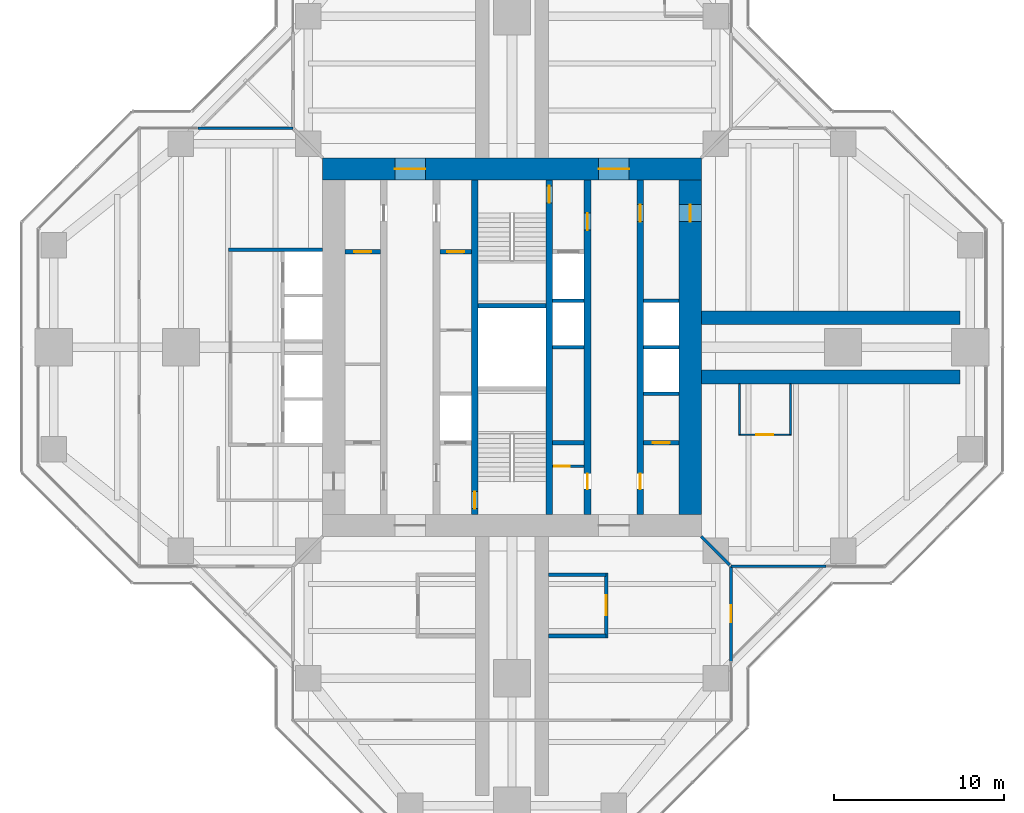
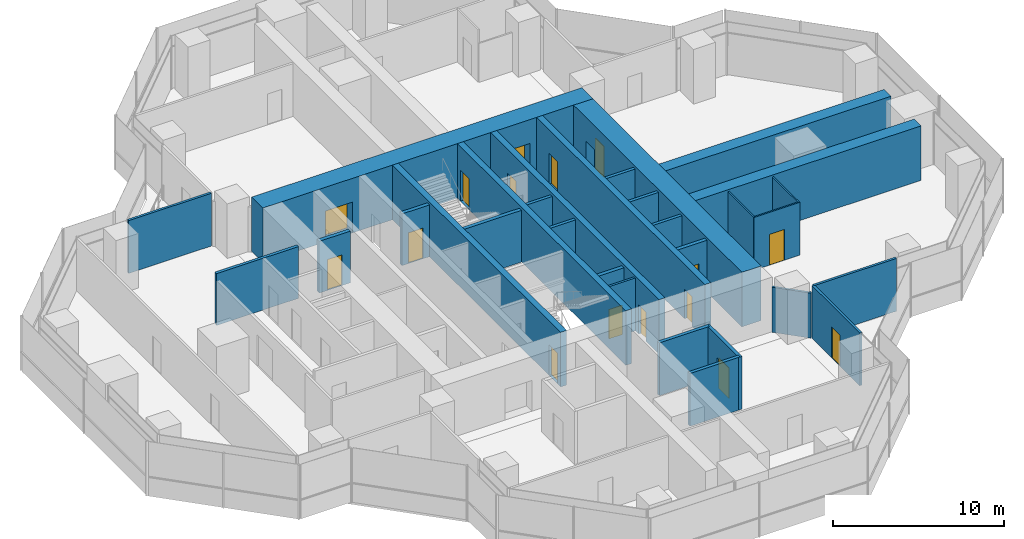
# One storey, part 14 of 17: 30 walls, 16 doors, 16 openings.
"""IFC4 building model written with IfcOpenShell, lengths in metres."""

from ifc_helpers import new_model, si_unit, direction, frame, frame_2d, origin, place, context, subcontext, project, spatial, rectangle, extrude, material, layer, layer_set, type_object, element, fill, save


model = new_model("IFC4")

# Units and contexts
model_context = context("Model", 3, precision=1e-05, world=origin(), true_north=direction((0.0, 1.0)))
body_context = subcontext(model_context, "Body", "Model", "MODEL_VIEW")
ifc_project = project(units=[si_unit("LENGTHUNIT", "METRE"), si_unit("AREAUNIT", "SQUARE_METRE"), si_unit("VOLUMEUNIT", "CUBIC_METRE"), si_unit("PLANEANGLEUNIT", "RADIAN"), si_unit("MASSUNIT", "GRAM", prefix="KILO")], contexts=[model_context])

# Site, building, storey
site_placement = place(None, origin())
site = spatial("IfcSite", under=ifc_project, at=site_placement, CompositionType="ELEMENT")
building_placement = place(site_placement, origin())
building = spatial("IfcBuilding", under=site, at=building_placement, Name="Mizan Broadcast Tower", CompositionType="ELEMENT")
storey_placement = place(building_placement, frame((0.0, 0.0, 224.39990234375)))
storey = spatial("IfcBuildingStorey", under=building, at=storey_placement, Name="L52", CompositionType="ELEMENT", Elevation=224.39990234375)

# Wall, openings, doors
ifc_material_1 = material(Name="Concrete C70/85", Category="concrete")
ifc_layer_1 = layer(ifc_material_1, 0.39990234375)
ifc_layer_set_1 = layer_set([ifc_layer_1], Name="Concrete C70/85")
wall_type_1 = type_object("IfcWallType", Name="CORE INTERNAL WALL 400", PredefinedType="SHEAR", material=ifc_layer_set_1)
wall_1_placement = place(storey_placement, frame((7.550048828125, 9.85009765625, 0.0), z_axis=(0.0, 0.0, 1.0), x_axis=(0.0, -1.0, 0.0)))
wall_1 = element("IfcWall", 1, at=wall_1_placement, inside=storey, type_object=wall_type_1, Name="Core wall CORE/XW1E", PredefinedType="SHEAR", context=body_context, shape_type="SweptSolid", body=[
    extrude(rectangle(XDim=19.7001953125, YDim=0.39990234375, at=frame_2d((9.85009765625, 0.0))), origin(), (0.0, 0.0, 1.0), 3.900146484375),
])
opening_1_placement = place(wall_1_placement, frame((1.449951171875, 0.0, 0.0)))
opening_1 = element("IfcOpeningElement", 2, at=opening_1_placement, cuts=wall_1, Name="Opening D10F", PredefinedType="OPENING", context=body_context, shape_type="SweptSolid", body=[
    extrude(rectangle(XDim=1.0, YDim=2.199951171875, at=frame_2d((0.5, 1.10009765625))), frame((0.0, 0.2099609375, 0.0), z_axis=(0.0, -1.0, 0.0), x_axis=(1.0, 0.0, 0.0)), (0.0, 0.0, 1.0), 0.419921875),
])
opening_2_placement = place(wall_1_placement, frame((17.300048828125, 0.0, 0.0)))
opening_2 = element("IfcOpeningElement", 3, at=opening_2_placement, cuts=wall_1, Name="Opening D09", PredefinedType="OPENING", context=body_context, shape_type="SweptSolid", body=[
    extrude(rectangle(XDim=0.89990234375, YDim=2.10009765625, at=frame_2d((0.449951171875, 1.050048828125))), frame((0.0, 0.2099609375, 0.0), z_axis=(0.0, -1.0, 0.0), x_axis=(1.0, 0.0, 0.0)), (0.0, 0.0, 1.0), 0.419921875),
])
ifc_material_2 = material(Name="Steel door leaf in steel frame", Category="steel")
door_type_1 = type_object("IfcDoorType", Name="FIRE DOOR 1000 FD90", OperationType="SINGLE_SWING_LEFT", PredefinedType="DOOR", material=ifc_material_2)
door_1_placement = place(opening_1_placement, origin())
door_1 = element("IfcDoor", 4, at=door_1_placement, inside=storey, type_object=door_type_1, Name="East core passage door", OperationType="SINGLE_SWING_LEFT", OverallHeight=2.199951171875, OverallWidth=1.0, PredefinedType="DOOR", context=body_context, shape_type="SweptSolid", body=[
    extrude(rectangle(XDim=1.0, YDim=2.199951171875, at=frame_2d((0.5, 1.10009765625))), frame((0.0, 0.02490234375, 0.0), z_axis=(0.0, -1.0, 0.0), x_axis=(1.0, 0.0, 0.0)), (0.0, 0.0, 1.0), 0.050048828125),
])
fill(opening_1, door_1)
ifc_material_3 = material(Name="Timber door leaf in aluminium frame", Category="wood")
door_type_2 = type_object("IfcDoorType", Name="TOILET DOOR 900", OperationType="SINGLE_SWING_LEFT", PredefinedType="DOOR", material=ifc_material_3)
door_2_placement = place(opening_2_placement, origin())
door_2 = element("IfcDoor", 5, at=door_2_placement, inside=storey, type_object=door_type_2, Name="Female WC door", OperationType="SINGLE_SWING_RIGHT", OverallHeight=2.10009765625, OverallWidth=0.89990234375, PredefinedType="DOOR", context=body_context, shape_type="SweptSolid", body=[
    extrude(rectangle(XDim=0.89990234375, YDim=2.10009765625, at=frame_2d((0.449951171875, 1.050048828125))), frame((0.0, 0.02490234375, 0.0), z_axis=(0.0, -1.0, 0.0), x_axis=(1.0, 0.0, 0.0)), (0.0, 0.0, 1.0), 0.050048828125),
])
fill(opening_2, door_2)

wall_2_placement = place(storey_placement, frame((4.449951171875, 9.85009765625, 0.0), z_axis=(0.0, 0.0, 1.0), x_axis=(0.0, -1.0, 0.0)))
wall_2 = element("IfcWall", 6, at=wall_2_placement, inside=storey, type_object=wall_type_1, Name="Core wall CORE/XWHE", PredefinedType="SHEAR", context=body_context, shape_type="SweptSolid", body=[
    extrude(rectangle(XDim=19.7001953125, YDim=0.39990234375, at=frame_2d((9.85009765625, 0.0))), origin(), (0.0, 0.0, 1.0), 3.900146484375),
])
opening_3_placement = place(wall_2_placement, frame((1.949951171875, 0.0, 0.0)))
opening_3 = element("IfcOpeningElement", 7, at=opening_3_placement, cuts=wall_2, Name="Opening D10F", PredefinedType="OPENING", context=body_context, shape_type="SweptSolid", body=[
    extrude(rectangle(XDim=1.0, YDim=2.199951171875, at=frame_2d((0.5, 1.10009765625))), frame((0.0, 0.2099609375, 0.0), z_axis=(0.0, -1.0, 0.0), x_axis=(1.0, 0.0, 0.0)), (0.0, 0.0, 1.0), 0.419921875),
])
opening_4_placement = place(wall_2_placement, frame((17.300048828125, 0.0, 0.0)))
opening_4 = element("IfcOpeningElement", 8, at=opening_4_placement, cuts=wall_2, Name="Opening D09", PredefinedType="OPENING", context=body_context, shape_type="SweptSolid", body=[
    extrude(rectangle(XDim=0.89990234375, YDim=2.10009765625, at=frame_2d((0.449951171875, 1.050048828125))), frame((0.0, 0.2099609375, 0.0), z_axis=(0.0, -1.0, 0.0), x_axis=(1.0, 0.0, 0.0)), (0.0, 0.0, 1.0), 0.419921875),
])
door_3_placement = place(opening_3_placement, origin())
door_3 = element("IfcDoor", 9, at=door_3_placement, inside=storey, type_object=door_type_1, Name="Firefighting lobby B door", OperationType="SINGLE_SWING_LEFT", OverallHeight=2.199951171875, OverallWidth=1.0, PredefinedType="DOOR", context=body_context, shape_type="SweptSolid", body=[
    extrude(rectangle(XDim=1.0, YDim=2.199951171875, at=frame_2d((0.5, 1.10009765625))), frame((0.0, 0.02490234375, 0.0), z_axis=(0.0, -1.0, 0.0), x_axis=(1.0, 0.0, 0.0)), (0.0, 0.0, 1.0), 0.050048828125),
])
fill(opening_3, door_3)
door_4_placement = place(opening_4_placement, origin())
door_4 = element("IfcDoor", 10, at=door_4_placement, inside=storey, type_object=door_type_2, Name="Cleaner's store door", OperationType="SINGLE_SWING_RIGHT", OverallHeight=2.10009765625, OverallWidth=0.89990234375, PredefinedType="DOOR", context=body_context, shape_type="SweptSolid", body=[
    extrude(rectangle(XDim=0.89990234375, YDim=2.10009765625, at=frame_2d((0.449951171875, 1.050048828125))), frame((0.0, 0.02490234375, 0.0), z_axis=(0.0, -1.0, 0.0), x_axis=(1.0, 0.0, 0.0)), (0.0, 0.0, 1.0), 0.050048828125),
])
fill(opening_4, door_4)

# Wall, opening, door
wall_3_placement = place(storey_placement, frame((-2.199951171875, -9.85009765625, 0.0), z_axis=(0.0, 0.0, 1.0), x_axis=(0.0, 1.0, 0.0)))
wall_3 = element("IfcWall", 11, at=wall_3_placement, inside=storey, type_object=wall_type_1, Name="Core wall CORE/XW2", PredefinedType="SHEAR", context=body_context, shape_type="SweptSolid", body=[
    extrude(rectangle(XDim=19.7001953125, YDim=0.39990234375, at=frame_2d((9.85009765625, 0.0))), origin(), (0.0, 0.0, 1.0), 3.900146484375),
])
opening_5_placement = place(wall_3_placement, frame((0.35009765625, 0.0, 0.0)))
opening_5 = element("IfcOpeningElement", 12, at=opening_5_placement, cuts=wall_3, Name="Opening D10S", PredefinedType="OPENING", context=body_context, shape_type="SweptSolid", body=[
    extrude(rectangle(XDim=1.0, YDim=2.199951171875, at=frame_2d((0.5, 1.10009765625))), frame((0.0, 0.2099609375, 0.0), z_axis=(0.0, -1.0, 0.0), x_axis=(1.0, 0.0, 0.0)), (0.0, 0.0, 1.0), 0.419921875),
])
ifc_material_4 = material(Name="Steel door leaf in steel frame", Category="steel")
door_type_3 = type_object("IfcDoorType", Name="STAIR DOOR 1000 FD90S", OperationType="SINGLE_SWING_RIGHT", PredefinedType="DOOR", material=ifc_material_4)
door_5_placement = place(opening_5_placement, origin())
door_5 = element("IfcDoor", 13, at=door_5_placement, inside=storey, type_object=door_type_3, Name="Stair A door", OperationType="SINGLE_SWING_RIGHT", OverallHeight=2.199951171875, OverallWidth=1.0, PredefinedType="DOOR", context=body_context, shape_type="SweptSolid", body=[
    extrude(rectangle(XDim=1.0, YDim=2.199951171875, at=frame_2d((0.5, 1.10009765625))), frame((0.0, 0.02490234375, 0.0), z_axis=(0.0, -1.0, 0.0), x_axis=(1.0, 0.0, 0.0)), (0.0, 0.0, 1.0), 0.050048828125),
])
fill(opening_5, door_5)

wall_4_placement = place(storey_placement, frame((2.199951171875, 9.85009765625, 0.0), z_axis=(0.0, 0.0, 1.0), x_axis=(0.0, -1.0, 0.0)))
wall_4 = element("IfcWall", 14, at=wall_4_placement, inside=storey, type_object=wall_type_1, Name="Core wall CORE/XW2E", PredefinedType="SHEAR", context=body_context, shape_type="SweptSolid", body=[
    extrude(rectangle(XDim=19.7001953125, YDim=0.39990234375, at=frame_2d((9.85009765625, 0.0))), origin(), (0.0, 0.0, 1.0), 3.900146484375),
])
opening_6_placement = place(wall_4_placement, frame((0.35009765625, 0.0, 0.0)))
opening_6 = element("IfcOpeningElement", 15, at=opening_6_placement, cuts=wall_4, Name="Opening D10S", PredefinedType="OPENING", context=body_context, shape_type="SweptSolid", body=[
    extrude(rectangle(XDim=1.0, YDim=2.199951171875, at=frame_2d((0.5, 1.10009765625))), frame((0.0, 0.2099609375, 0.0), z_axis=(0.0, -1.0, 0.0), x_axis=(1.0, 0.0, 0.0)), (0.0, 0.0, 1.0), 0.419921875),
])
door_6_placement = place(opening_6_placement, origin())
door_6 = element("IfcDoor", 16, at=door_6_placement, inside=storey, type_object=door_type_3, Name="Stair B door", OperationType="SINGLE_SWING_RIGHT", OverallHeight=2.199951171875, OverallWidth=1.0, PredefinedType="DOOR", context=body_context, shape_type="SweptSolid", body=[
    extrude(rectangle(XDim=1.0, YDim=2.199951171875, at=frame_2d((0.5, 1.10009765625))), frame((0.0, 0.02490234375, 0.0), z_axis=(0.0, -1.0, 0.0), x_axis=(1.0, 0.0, 0.0)), (0.0, 0.0, 1.0), 0.050048828125),
])
fill(opening_6, door_6)

ifc_material_5 = material(Name="Concrete blockwork", Category="masonry")
ifc_layer_2 = layer(ifc_material_5, 0.14990234375)
ifc_layer_set_2 = layer_set([ifc_layer_2], Name="Concrete blockwork")
wall_type_2 = type_object("IfcWallType", Name="CORE PARTITION 150", PredefinedType="SOLIDWALL", material=ifc_layer_set_2)
wall_5_placement = place(storey_placement, frame((2.39990234375, -7.0, 0.0), z_axis=(0.0, 0.0, 1.0), x_axis=(1.0, 0.0, 0.0)))
wall_5 = element("IfcWall", 17, at=wall_5_placement, inside=storey, type_object=wall_type_2, Name="Core partition CORE/XPC", PredefinedType="SOLIDWALL", context=body_context, shape_type="SweptSolid", body=[
    extrude(rectangle(XDim=1.85009765625, YDim=0.14990234375, at=frame_2d((0.925048828125, 0.0))), origin(), (0.0, 0.0, 1.0), 3.77001953125),
])
opening_7_placement = place(wall_5_placement, frame((0.10009765625, 0.0, 0.0)))
opening_7 = element("IfcOpeningElement", 18, at=opening_7_placement, cuts=wall_5, Name="Opening D09F", PredefinedType="OPENING", context=body_context, shape_type="SweptSolid", body=[
    extrude(rectangle(XDim=0.89990234375, YDim=2.10009765625, at=frame_2d((0.449951171875, 1.050048828125))), frame((0.0, 0.0849609375, 0.0), z_axis=(0.0, -1.0, 0.0), x_axis=(1.0, 0.0, 0.0)), (0.0, 0.0, 1.0), 0.169921875),
])
ifc_material_6 = material(Name="Steel door leaf in steel frame", Category="steel")
door_type_4 = type_object("IfcDoorType", Name="CORE ROOM DOOR 900 FD90", OperationType="SINGLE_SWING_LEFT", PredefinedType="DOOR", material=ifc_material_6)
door_7_placement = place(opening_7_placement, origin())
door_7 = element("IfcDoor", 19, at=door_7_placement, inside=storey, type_object=door_type_4, Name="Cleaning materials store door", OperationType="SINGLE_SWING_LEFT", OverallHeight=2.10009765625, OverallWidth=0.89990234375, PredefinedType="DOOR", context=body_context, shape_type="SweptSolid", body=[
    extrude(rectangle(XDim=0.89990234375, YDim=2.10009765625, at=frame_2d((0.449951171875, 1.050048828125))), frame((0.0, 0.02490234375, 0.0), z_axis=(0.0, -1.0, 0.0), x_axis=(1.0, 0.0, 0.0)), (0.0, 0.0, 1.0), 0.050048828125),
])
fill(opening_7, door_7)

# Wall, openings, doors
ifc_material_7 = material(Name="Concrete C70/85", Category="concrete")
ifc_layer_3 = layer(ifc_material_7, 1.300048828125)
ifc_layer_set_3 = layer_set([ifc_layer_3], Name="Concrete C70/85")
wall_type_3 = type_object("IfcWallType", Name="CORE WALL 1300", PredefinedType="SHEAR", material=ifc_layer_set_3)
wall_6_placement = place(storey_placement, frame((-11.14990234375, 10.5, 0.0), z_axis=(0.0, 0.0, 1.0), x_axis=(1.0, 0.0, 0.0)))
wall_6 = element("IfcWall", 20, at=wall_6_placement, inside=storey, type_object=wall_type_3, Name="Core wall N L52", PredefinedType="SHEAR", context=body_context, shape_type="SweptSolid", body=[
    extrude(rectangle(XDim=22.2998046875, YDim=1.300048828125, at=frame_2d((11.14990234375, 0.0))), origin(), (0.0, 0.0, 1.0), 3.900146484375),
])
opening_8_placement = place(wall_6_placement, frame((4.25, 0.0, 0.0)))
opening_8 = element("IfcOpeningElement", 21, at=opening_8_placement, cuts=wall_6, Name="Opening D18F", PredefinedType="OPENING", context=body_context, shape_type="SweptSolid", body=[
    extrude(rectangle(XDim=1.800048828125, YDim=2.199951171875, at=frame_2d((0.89990234375, 1.10009765625))), frame((0.0, 0.659912109375, 0.0), z_axis=(0.0, -1.0, 0.0), x_axis=(1.0, 0.0, 0.0)), (0.0, 0.0, 1.0), 1.320068359375),
])
opening_9_placement = place(wall_6_placement, frame((16.25, 0.0, 0.0)))
opening_9 = element("IfcOpeningElement", 22, at=opening_9_placement, cuts=wall_6, Name="Opening D18F", PredefinedType="OPENING", context=body_context, shape_type="SweptSolid", body=[
    extrude(rectangle(XDim=1.800048828125, YDim=2.199951171875, at=frame_2d((0.89990234375, 1.10009765625))), frame((0.0, 0.659912109375, 0.0), z_axis=(0.0, -1.0, 0.0), x_axis=(1.0, 0.0, 0.0)), (0.0, 0.0, 1.0), 1.320068359375),
])
ifc_material_8 = material(Name="Steel door leaf in steel frame", Category="steel")
door_type_5 = type_object("IfcDoorType", Name="LOBBY DOUBLE DOOR 1800 FD90", OperationType="DOUBLE_DOOR_DOUBLE_SWING", PredefinedType="DOOR", material=ifc_material_8)
door_8_placement = place(opening_8_placement, origin())
door_8 = element("IfcDoor", 23, at=door_8_placement, inside=storey, type_object=door_type_5, Name="West lift lobby north door", OperationType="DOUBLE_DOOR_DOUBLE_SWING", OverallHeight=2.199951171875, OverallWidth=1.800048828125, PredefinedType="DOOR", context=body_context, shape_type="SweptSolid", body=[
    extrude(rectangle(XDim=1.800048828125, YDim=2.199951171875, at=frame_2d((0.89990234375, 1.10009765625))), frame((0.0, 0.02490234375, 0.0), z_axis=(0.0, -1.0, 0.0), x_axis=(1.0, 0.0, 0.0)), (0.0, 0.0, 1.0), 0.050048828125),
])
fill(opening_8, door_8)
door_9_placement = place(opening_9_placement, origin())
door_9 = element("IfcDoor", 24, at=door_9_placement, inside=storey, type_object=door_type_5, Name="East lift lobby north door", OperationType="DOUBLE_DOOR_DOUBLE_SWING", OverallHeight=2.199951171875, OverallWidth=1.800048828125, PredefinedType="DOOR", context=body_context, shape_type="SweptSolid", body=[
    extrude(rectangle(XDim=1.800048828125, YDim=2.199951171875, at=frame_2d((0.89990234375, 1.10009765625))), frame((0.0, 0.02490234375, 0.0), z_axis=(0.0, -1.0, 0.0), x_axis=(1.0, 0.0, 0.0)), (0.0, 0.0, 1.0), 0.050048828125),
])
fill(opening_9, door_9)

# Wall, opening, door
wall_7_placement = place(storey_placement, frame((10.5, -9.85009765625, 0.0), z_axis=(0.0, 0.0, 1.0), x_axis=(0.0, 1.0, 0.0)))
wall_7 = element("IfcWall", 25, at=wall_7_placement, inside=storey, type_object=wall_type_3, Name="Core wall E L52", PredefinedType="SHEAR", context=body_context, shape_type="SweptSolid", body=[
    extrude(rectangle(XDim=19.7001953125, YDim=1.300048828125, at=frame_2d((9.85009765625, 0.0))), origin(), (0.0, 0.0, 1.0), 3.900146484375),
])
opening_10_placement = place(wall_7_placement, frame((17.25, 0.0, 0.0)))
opening_10 = element("IfcOpeningElement", 26, at=opening_10_placement, cuts=wall_7, Name="Opening D10F", PredefinedType="OPENING", context=body_context, shape_type="SweptSolid", body=[
    extrude(rectangle(XDim=1.0, YDim=2.199951171875, at=frame_2d((0.5, 1.10009765625))), frame((0.0, 0.659912109375, 0.0), z_axis=(0.0, -1.0, 0.0), x_axis=(1.0, 0.0, 0.0)), (0.0, 0.0, 1.0), 1.320068359375),
])
door_10_placement = place(opening_10_placement, origin())
door_10 = element("IfcDoor", 27, at=door_10_placement, inside=storey, type_object=door_type_1, Name="East core passage arm door", OperationType="SINGLE_SWING_RIGHT", OverallHeight=2.199951171875, OverallWidth=1.0, PredefinedType="DOOR", context=body_context, shape_type="SweptSolid", body=[
    extrude(rectangle(XDim=1.0, YDim=2.199951171875, at=frame_2d((0.5, 1.10009765625))), frame((0.0, 0.02490234375, 0.0), z_axis=(0.0, -1.0, 0.0), x_axis=(1.0, 0.0, 0.0)), (0.0, 0.0, 1.0), 0.050048828125),
])
fill(opening_10, door_10)

# Walls
ifc_material_9 = material(Name="Aluminium framed glazed screen", Category="aluminium")
ifc_layer_4 = layer(ifc_material_9, 0.159912109375)
ifc_layer_set_4 = layer_set([ifc_layer_4], Name="Aluminium framed glazed screen")
wall_type_4 = type_object("IfcWallType", Name="GLAZED SCREEN WALL 160", PredefinedType="SOLIDWALL", material=ifc_layer_set_4)
for number, where, z_axis, x_axis, name in (
    (28, (12.89990234375, -12.89990234375, 0.0), (0.0, 0.0, 1.0), (1.0, 0.0, 0.0), "Winter garden screen L52 E"),
    (29, (-12.89990234375, 12.89990234375, 0.0), (0.0, 0.0, 1.0), (-1.0, 0.0, 0.0), "Winter garden screen L52 W"),
):
    element("IfcWall", number, at=place(storey_placement, frame(where, z_axis=z_axis, x_axis=x_axis)), inside=storey, type_object=wall_type_4, Name=name, PredefinedType="SOLIDWALL", context=body_context, shape_type="SweptSolid", body=[
        extrude(rectangle(XDim=5.60009765625, YDim=0.159912109375, at=frame_2d((2.800048828125, 0.0))), origin(), (0.0, 0.0, 1.0), 3.77001953125),
    ])

# Wall, opening, door
wall_8_placement = place(storey_placement, frame((12.89990234375, -18.5, 0.0), z_axis=(0.0, 0.0, 1.0), x_axis=(0.0, 1.0, 0.0)))
wall_8 = element("IfcWall", 30, at=wall_8_placement, inside=storey, type_object=wall_type_4, Name="Winter garden screen L52 S", PredefinedType="SOLIDWALL", context=body_context, shape_type="SweptSolid", body=[
    extrude(rectangle(XDim=5.60009765625, YDim=0.159912109375, at=frame_2d((2.800048828125, 0.0))), origin(), (0.0, 0.0, 1.0), 3.77001953125),
])
opening_11_placement = place(wall_8_placement, frame((2.300048828125, 0.0, 0.0)))
opening_11 = element("IfcOpeningElement", 31, at=opening_11_placement, cuts=wall_8, Name="Opening WGD", PredefinedType="OPENING", context=body_context, shape_type="SweptSolid", body=[
    extrude(rectangle(XDim=1.0, YDim=2.199951171875, at=frame_2d((0.5, 1.10009765625))), frame((0.0, 0.08984375, 0.0), z_axis=(0.0, -1.0, 0.0), x_axis=(1.0, 0.0, 0.0)), (0.0, 0.0, 1.0), 0.179931640625),
])
ifc_material_10 = material(Name="Aluminium framed glazed door", Category="aluminium")
door_type_6 = type_object("IfcDoorType", Name="WINTER GARDEN DOOR 1000 GLAZED", OperationType="SINGLE_SWING_LEFT", PredefinedType="DOOR", material=ifc_material_10)
door_11_placement = place(opening_11_placement, origin())
door_11 = element("IfcDoor", 32, at=door_11_placement, inside=storey, type_object=door_type_6, Name="Winter garden door L52 S", OperationType="SINGLE_SWING_RIGHT", OverallHeight=2.199951171875, OverallWidth=1.0, PredefinedType="DOOR", context=body_context, shape_type="SweptSolid", body=[
    extrude(rectangle(XDim=1.0, YDim=2.199951171875, at=frame_2d((0.5, 1.10009765625))), frame((0.0, 0.02490234375, 0.0), z_axis=(0.0, -1.0, 0.0), x_axis=(1.0, 0.0, 0.0)), (0.0, 0.0, 1.0), 0.050048828125),
])
fill(opening_11, door_11)

# Walls
ifc_material_11 = material(Name="Concrete blockwork", Category="masonry")
ifc_layer_5 = layer(ifc_material_11, 0.199951171875)
ifc_layer_set_5 = layer_set([ifc_layer_5], Name="Concrete blockwork")
wall_type_5 = type_object("IfcWallType", Name="LIFT SHAFT WALL 200", PredefinedType="SOLIDWALL", material=ifc_layer_set_5)
wall_9_placement = place(storey_placement, frame((7.75, -2.75, 0.0), z_axis=(0.0, 0.0, 1.0), x_axis=(1.0, 0.0, 0.0)))
element("IfcWall", 33, at=wall_9_placement, inside=storey, type_object=wall_type_5, Name="Lift shaft wall CORE/SE1-1", PredefinedType="SOLIDWALL", context=body_context, shape_type="SweptSolid", body=[
    extrude(rectangle(XDim=2.10009765625, YDim=0.199951171875, at=frame_2d((1.050048828125, 0.0))), origin(), (0.0, 0.0, 1.0), 3.7001953125),
])
wall_10_placement = place(storey_placement, frame((2.39990234375, 0.0, 0.0), z_axis=(0.0, 0.0, 1.0), x_axis=(1.0, 0.0, 0.0)))
element("IfcWall", 34, at=wall_10_placement, inside=storey, type_object=wall_type_5, Name="Lift shaft wall CORE/SE2-2", PredefinedType="SOLIDWALL", context=body_context, shape_type="SweptSolid", body=[
    extrude(rectangle(XDim=1.85009765625, YDim=0.199951171875, at=frame_2d((0.925048828125, 0.0))), origin(), (0.0, 0.0, 1.0), 3.7001953125),
])
wall_11_placement = place(storey_placement, frame((7.75, 0.0, 0.0), z_axis=(0.0, 0.0, 1.0), x_axis=(1.0, 0.0, 0.0)))
element("IfcWall", 35, at=wall_11_placement, inside=storey, type_object=wall_type_5, Name="Lift shaft wall CORE/SE1-2", PredefinedType="SOLIDWALL", context=body_context, shape_type="SweptSolid", body=[
    extrude(rectangle(XDim=2.10009765625, YDim=0.199951171875, at=frame_2d((1.050048828125, 0.0))), origin(), (0.0, 0.0, 1.0), 3.7001953125),
])
wall_12_placement = place(storey_placement, frame((2.39990234375, 2.75, 0.0), z_axis=(0.0, 0.0, 1.0), x_axis=(1.0, 0.0, 0.0)))
element("IfcWall", 36, at=wall_12_placement, inside=storey, type_object=wall_type_5, Name="Lift shaft wall CORE/SE2-3", PredefinedType="SOLIDWALL", context=body_context, shape_type="SweptSolid", body=[
    extrude(rectangle(XDim=1.85009765625, YDim=0.199951171875, at=frame_2d((0.925048828125, 0.0))), origin(), (0.0, 0.0, 1.0), 3.7001953125),
])
wall_13_placement = place(storey_placement, frame((7.75, 2.75, 0.0), z_axis=(0.0, 0.0, 1.0), x_axis=(1.0, 0.0, 0.0)))
element("IfcWall", 37, at=wall_13_placement, inside=storey, type_object=wall_type_5, Name="Lift shaft wall CORE/SE1-3", PredefinedType="SOLIDWALL", context=body_context, shape_type="SweptSolid", body=[
    extrude(rectangle(XDim=2.10009765625, YDim=0.199951171875, at=frame_2d((1.050048828125, 0.0))), origin(), (0.0, 0.0, 1.0), 3.7001953125),
])
wall_14_placement = place(storey_placement, frame((-11.14990234375, 5.75, 0.0), z_axis=(0.0, 0.0, 1.0), x_axis=(-1.0, 0.0, 0.0)))
element("IfcWall", 38, at=wall_14_placement, inside=storey, type_object=wall_type_5, Name="Lift shaft wall LC/S1", PredefinedType="SOLIDWALL", context=body_context, shape_type="SweptSolid", body=[
    extrude(rectangle(XDim=5.550048828125, YDim=0.199951171875, at=frame_2d((2.77490234375, 0.0))), origin(), (0.0, 0.0, 1.0), 3.7001953125),
])

# Wall, opening, door
ifc_material_12 = material(Name="Concrete blockwork", Category="masonry")
ifc_layer_6 = layer(ifc_material_12, 0.25)
ifc_layer_set_6 = layer_set([ifc_layer_6], Name="Concrete blockwork")
wall_type_6 = type_object("IfcWallType", Name="LOBBY ENCLOSURE WALL 250", PredefinedType="SOLIDWALL", material=ifc_layer_set_6)
wall_15_placement = place(storey_placement, frame((-9.85009765625, 5.625, 0.0), z_axis=(0.0, 0.0, 1.0), x_axis=(1.0, 0.0, 0.0)))
wall_15 = element("IfcWall", 39, at=wall_15_placement, inside=storey, type_object=wall_type_6, Name="Lobby enclosure wall CORE/BW1N", PredefinedType="SOLIDWALL", context=body_context, shape_type="SweptSolid", body=[
    extrude(rectangle(XDim=2.10009765625, YDim=0.25, at=frame_2d((1.050048828125, 0.0))), origin(), (0.0, 0.0, 1.0), 3.7001953125),
])
opening_12_placement = place(wall_15_placement, frame((0.550048828125, 0.0, 0.0)))
opening_12 = element("IfcOpeningElement", 40, at=opening_12_placement, cuts=wall_15, Name="Opening D10F", PredefinedType="OPENING", context=body_context, shape_type="SweptSolid", body=[
    extrude(rectangle(XDim=1.0, YDim=2.199951171875, at=frame_2d((0.5, 1.10009765625))), frame((0.0, 0.135009765625, 0.0), z_axis=(0.0, -1.0, 0.0), x_axis=(1.0, 0.0, 0.0)), (0.0, 0.0, 1.0), 0.27001953125),
])
door_12_placement = place(opening_12_placement, origin())
door_12 = element("IfcDoor", 41, at=door_12_placement, inside=storey, type_object=door_type_1, Name="Staff changing room door", OperationType="SINGLE_SWING_RIGHT", OverallHeight=2.199951171875, OverallWidth=1.0, PredefinedType="DOOR", context=body_context, shape_type="SweptSolid", body=[
    extrude(rectangle(XDim=1.0, YDim=2.199951171875, at=frame_2d((0.5, 1.10009765625))), frame((0.0, 0.02490234375, 0.0), z_axis=(0.0, -1.0, 0.0), x_axis=(1.0, 0.0, 0.0)), (0.0, 0.0, 1.0), 0.050048828125),
])
fill(opening_12, door_12)

wall_16_placement = place(storey_placement, frame((-4.25, 5.625, 0.0), z_axis=(0.0, 0.0, 1.0), x_axis=(1.0, 0.0, 0.0)))
wall_16 = element("IfcWall", 42, at=wall_16_placement, inside=storey, type_object=wall_type_6, Name="Lobby enclosure wall CORE/BW2N", PredefinedType="SOLIDWALL", context=body_context, shape_type="SweptSolid", body=[
    extrude(rectangle(XDim=1.85009765625, YDim=0.25, at=frame_2d((0.925048828125, 0.0))), origin(), (0.0, 0.0, 1.0), 3.7001953125),
])
opening_13_placement = place(wall_16_placement, frame((0.425048828125, 0.0, 0.0)))
opening_13 = element("IfcOpeningElement", 43, at=opening_13_placement, cuts=wall_16, Name="Opening D10F", PredefinedType="OPENING", context=body_context, shape_type="SweptSolid", body=[
    extrude(rectangle(XDim=1.0, YDim=2.199951171875, at=frame_2d((0.5, 1.10009765625))), frame((0.0, 0.135009765625, 0.0), z_axis=(0.0, -1.0, 0.0), x_axis=(1.0, 0.0, 0.0)), (0.0, 0.0, 1.0), 0.27001953125),
])
door_13_placement = place(opening_13_placement, origin())
door_13 = element("IfcDoor", 44, at=door_13_placement, inside=storey, type_object=door_type_1, Name="Baby change room door", OperationType="SINGLE_SWING_RIGHT", OverallHeight=2.199951171875, OverallWidth=1.0, PredefinedType="DOOR", context=body_context, shape_type="SweptSolid", body=[
    extrude(rectangle(XDim=1.0, YDim=2.199951171875, at=frame_2d((0.5, 1.10009765625))), frame((0.0, 0.02490234375, 0.0), z_axis=(0.0, -1.0, 0.0), x_axis=(1.0, 0.0, 0.0)), (0.0, 0.0, 1.0), 0.050048828125),
])
fill(opening_13, door_13)

# Wall
wall_17_placement = place(storey_placement, frame((2.39990234375, -5.625, 0.0), z_axis=(0.0, 0.0, 1.0), x_axis=(1.0, 0.0, 0.0)))
element("IfcWall", 45, at=wall_17_placement, inside=storey, type_object=wall_type_6, Name="Lobby enclosure wall CORE/BE2S", PredefinedType="SOLIDWALL", context=body_context, shape_type="SweptSolid", body=[
    extrude(rectangle(XDim=1.85009765625, YDim=0.25, at=frame_2d((0.925048828125, 0.0))), origin(), (0.0, 0.0, 1.0), 3.7001953125),
])

# Wall, opening, door
wall_18_placement = place(storey_placement, frame((7.75, -5.625, 0.0), z_axis=(0.0, 0.0, 1.0), x_axis=(1.0, 0.0, 0.0)))
wall_18 = element("IfcWall", 46, at=wall_18_placement, inside=storey, type_object=wall_type_6, Name="Lobby enclosure wall CORE/BE1S", PredefinedType="SOLIDWALL", context=body_context, shape_type="SweptSolid", body=[
    extrude(rectangle(XDim=2.10009765625, YDim=0.25, at=frame_2d((1.050048828125, 0.0))), origin(), (0.0, 0.0, 1.0), 3.7001953125),
])
opening_14_placement = place(wall_18_placement, frame((0.550048828125, 0.0, 0.0)))
opening_14 = element("IfcOpeningElement", 47, at=opening_14_placement, cuts=wall_18, Name="Opening D10F", PredefinedType="OPENING", context=body_context, shape_type="SweptSolid", body=[
    extrude(rectangle(XDim=1.0, YDim=2.199951171875, at=frame_2d((0.5, 1.10009765625))), frame((0.0, 0.135009765625, 0.0), z_axis=(0.0, -1.0, 0.0), x_axis=(1.0, 0.0, 0.0)), (0.0, 0.0, 1.0), 0.27001953125),
])
door_14_placement = place(opening_14_placement, origin())
door_14 = element("IfcDoor", 48, at=door_14_placement, inside=storey, type_object=door_type_1, Name="Staff changing room door", OperationType="SINGLE_SWING_LEFT", OverallHeight=2.199951171875, OverallWidth=1.0, PredefinedType="DOOR", context=body_context, shape_type="SweptSolid", body=[
    extrude(rectangle(XDim=1.0, YDim=2.199951171875, at=frame_2d((0.5, 1.10009765625))), frame((0.0, 0.02490234375, 0.0), z_axis=(0.0, -1.0, 0.0), x_axis=(1.0, 0.0, 0.0)), (0.0, 0.0, 1.0), 0.050048828125),
])
fill(opening_14, door_14)

# Walls
wall_19_placement = place(storey_placement, frame((-2.0, 2.449951171875, 0.0), z_axis=(0.0, 0.0, 1.0), x_axis=(1.0, 0.0, 0.0)))
element("IfcWall", 49, at=wall_19_placement, inside=storey, type_object=wall_type_6, Name="Lobby enclosure wall CORE/STB", PredefinedType="SOLIDWALL", context=body_context, shape_type="SweptSolid", body=[
    extrude(rectangle(XDim=4.0, YDim=0.25, at=frame_2d((2.0, 0.0))), origin(), (0.0, 0.0, 1.0), 3.7001953125),
])
ifc_material_13 = material(Name="Gypsum board on steel studs", Category="steel")
ifc_layer_7 = layer(ifc_material_13, 0.14990234375)
ifc_layer_set_7 = layer_set([ifc_layer_7], Name="Gypsum board on steel studs")
wall_type_7 = type_object("IfcWallType", Name="PARTITION 150", PredefinedType="PARTITIONING", material=ifc_layer_set_7)
wall_20_placement = place(storey_placement, frame((11.14990234375, -11.14990234375, 0.0), z_axis=(0.0, 0.0, 1.0), x_axis=(0.707106781187, -0.707106781187, 0.0)))
element("IfcWall", 50, at=wall_20_placement, inside=storey, type_object=wall_type_7, Name="Partition PT/DGES", PredefinedType="PARTITIONING", context=body_context, shape_type="SweptSolid", body=[
    extrude(rectangle(XDim=2.362060546875, YDim=0.14990234375, at=frame_2d((1.18115234375, 0.0))), origin(), (0.0, 0.0, 1.0), 3.22021484375),
])
ifc_material_14 = material(Name="Twin steel stud acoustic partition, four layers of gypsum board", Category="steel")
ifc_layer_8 = layer(ifc_material_14, 0.22509765625)
ifc_layer_set_8 = layer_set([ifc_layer_8], Name="Twin steel stud acoustic partition, four layers of gypsum board")
wall_type_8 = type_object("IfcWallType", Name="PARTITION ACOUSTIC 225", PredefinedType="PARTITIONING", material=ifc_layer_set_8)
for number, where, z_axis, x_axis, name in (
    (51, (2.14990234375, -13.39990234375, 0.0), (0.0, 0.0, 1.0), (1.0, 0.0, 0.0), "Acoustic partition PT/SKP0a"),
    (52, (2.14990234375, -17.0, 0.0), (0.0, 0.0, 1.0), (1.0, 0.0, 0.0), "Acoustic partition PT/SKP0b"),
):
    element("IfcWall", number, at=place(storey_placement, frame(where, z_axis=z_axis, x_axis=x_axis)), inside=storey, type_object=wall_type_8, Name=name, PredefinedType="PARTITIONING", context=body_context, shape_type="SweptSolid", body=[
        extrude(rectangle(XDim=3.400146484375, YDim=0.22509765625, at=frame_2d((1.7001953125, 0.0))), origin(), (0.0, 0.0, 1.0), 3.77001953125),
    ])

# Wall, opening, door
wall_21_placement = place(storey_placement, frame((5.550048828125, -13.28759765625, 0.0), z_axis=(0.0, 0.0, 1.0), x_axis=(0.0, -1.0, 0.0)))
wall_21 = element("IfcWall", 53, at=wall_21_placement, inside=storey, type_object=wall_type_8, Name="Acoustic partition PT/SKP0f", PredefinedType="PARTITIONING", context=body_context, shape_type="SweptSolid", body=[
    extrude(rectangle(XDim=3.824951171875, YDim=0.22509765625, at=frame_2d((1.91259765625, 0.0))), origin(), (0.0, 0.0, 1.0), 3.77001953125),
])
opening_15_placement = place(wall_21_placement, frame((1.3125, 0.0, 0.0)))
opening_15 = element("IfcOpeningElement", 54, at=opening_15_placement, cuts=wall_21, Name="Opening D12A", PredefinedType="OPENING", context=body_context, shape_type="SweptSolid", body=[
    extrude(rectangle(XDim=1.199951171875, YDim=2.199951171875, at=frame_2d((0.60009765625, 1.10009765625))), frame((0.0, 0.12255859375, 0.0), z_axis=(0.0, -1.0, 0.0), x_axis=(1.0, 0.0, 0.0)), (0.0, 0.0, 1.0), 0.2451171875),
])
ifc_material_15 = material(Name="Timber door leaf in aluminium frame", Category="wood")
door_type_7 = type_object("IfcDoorType", Name="ACOUSTIC DOOR 1200", OperationType="SINGLE_SWING_LEFT", PredefinedType="DOOR", material=ifc_material_15)
door_15_placement = place(opening_15_placement, origin())
door_15 = element("IfcDoor", 55, at=door_15_placement, inside=storey, type_object=door_type_7, Name="Edit suite door", OperationType="SINGLE_SWING_LEFT", OverallHeight=2.199951171875, OverallWidth=1.199951171875, PredefinedType="DOOR", context=body_context, shape_type="SweptSolid", body=[
    extrude(rectangle(XDim=1.199951171875, YDim=2.199951171875, at=frame_2d((0.60009765625, 1.10009765625))), frame((0.0, 0.02490234375, 0.0), z_axis=(0.0, -1.0, 0.0), x_axis=(1.0, 0.0, 0.0)), (0.0, 0.0, 1.0), 0.050048828125),
])
fill(opening_15, door_15)

# Walls
ifc_material_16 = material(Name="Glazed aluminium partition on aluminium track", Category="aluminium")
ifc_layer_9 = layer(ifc_material_16, 0.10009765625)
ifc_layer_set_9 = layer_set([ifc_layer_9], Name="Glazed aluminium partition on aluminium track")
wall_type_9 = type_object("IfcWallType", Name="PARTITION GLAZED OFFICE FRONT 100", PredefinedType="PARTITIONING", material=ifc_layer_set_9)
for number, where, z_axis, x_axis, name in (
    (56, (13.39990234375, -2.14990234375, 0.0), (0.0, 0.0, 1.0), (0.0, -1.0, 0.0), "Glazed office front PT/EKN0a"),
    (57, (16.39990234375, -2.14990234375, 0.0), (0.0, 0.0, 1.0), (0.0, -1.0, 0.0), "Glazed office front PT/EKN0b"),
):
    element("IfcWall", number, at=place(storey_placement, frame(where, z_axis=z_axis, x_axis=x_axis)), inside=storey, type_object=wall_type_9, Name=name, PredefinedType="PARTITIONING", context=body_context, shape_type="SweptSolid", body=[
        extrude(rectangle(XDim=3.0, YDim=0.10009765625, at=frame_2d((1.5, 0.0))), origin(), (0.0, 0.0, 1.0), 3.77001953125),
    ])

# Wall, opening, door
wall_22_placement = place(storey_placement, frame((13.35009765625, -5.14990234375, 0.0), z_axis=(0.0, 0.0, 1.0), x_axis=(1.0, 0.0, 0.0)))
wall_22 = element("IfcWall", 58, at=wall_22_placement, inside=storey, type_object=wall_type_9, Name="Glazed office front PT/EKN0f", PredefinedType="PARTITIONING", context=body_context, shape_type="SweptSolid", body=[
    extrude(rectangle(XDim=3.099853515625, YDim=0.10009765625, at=frame_2d((1.5498046875, 0.0))), origin(), (0.0, 0.0, 1.0), 3.77001953125),
])
opening_16_placement = place(wall_22_placement, frame((1.050048828125, 0.0, 0.0)))
opening_16 = element("IfcOpeningElement", 59, at=opening_16_placement, cuts=wall_22, Name="Opening D10O", PredefinedType="OPENING", context=body_context, shape_type="SweptSolid", body=[
    extrude(rectangle(XDim=1.0, YDim=2.199951171875, at=frame_2d((0.5, 1.10009765625))), frame((0.0, 0.06005859375, 0.0), z_axis=(0.0, -1.0, 0.0), x_axis=(1.0, 0.0, 0.0)), (0.0, 0.0, 1.0), 0.1201171875),
])
ifc_material_17 = material(Name="Timber door leaf in aluminium frame", Category="wood")
door_type_8 = type_object("IfcDoorType", Name="OFFICE DOOR 1000 GLAZED", OperationType="SINGLE_SWING_LEFT", PredefinedType="DOOR", material=ifc_material_17)
door_16_placement = place(opening_16_placement, origin())
door_16 = element("IfcDoor", 60, at=door_16_placement, inside=storey, type_object=door_type_8, Name="Pantry door", OperationType="SINGLE_SWING_LEFT", OverallHeight=2.199951171875, OverallWidth=1.0, PredefinedType="DOOR", context=body_context, shape_type="SweptSolid", body=[
    extrude(rectangle(XDim=1.0, YDim=2.199951171875, at=frame_2d((0.5, 1.10009765625))), frame((0.0, 0.02490234375, 0.0), z_axis=(0.0, -1.0, 0.0), x_axis=(1.0, 0.0, 0.0)), (0.0, 0.0, 1.0), 0.050048828125),
])
fill(opening_16, door_16)

# Walls
ifc_material_18 = material(Name="Concrete C70/85", Category="concrete")
ifc_layer_10 = layer(ifc_material_18, 0.800048828125)
ifc_layer_set_10 = layer_set([ifc_layer_10], Name="Concrete C70/85")
wall_type_10 = type_object("IfcWallType", Name="SPINE WALL 800", PredefinedType="SHEAR", material=ifc_layer_set_10)
for number, where, z_axis, x_axis, name in (
    (61, (11.14990234375, -1.75, 0.0), (0.0, 0.0, 1.0), (1.0, 0.0, 0.0), "Spine wall ER L52"),
    (62, (11.14990234375, 1.75, 0.0), (0.0, 0.0, 1.0), (1.0, 0.0, 0.0), "Spine wall EL L52"),
):
    element("IfcWall", number, at=place(storey_placement, frame(where, z_axis=z_axis, x_axis=x_axis)), inside=storey, type_object=wall_type_10, Name=name, PredefinedType="SHEAR", context=body_context, shape_type="SweptSolid", body=[
        extrude(rectangle(XDim=15.25, YDim=0.800048828125, at=frame_2d((7.625, 0.0))), origin(), (0.0, 0.0, 1.0), 3.900146484375),
    ])

save(model, "model.ifc")
